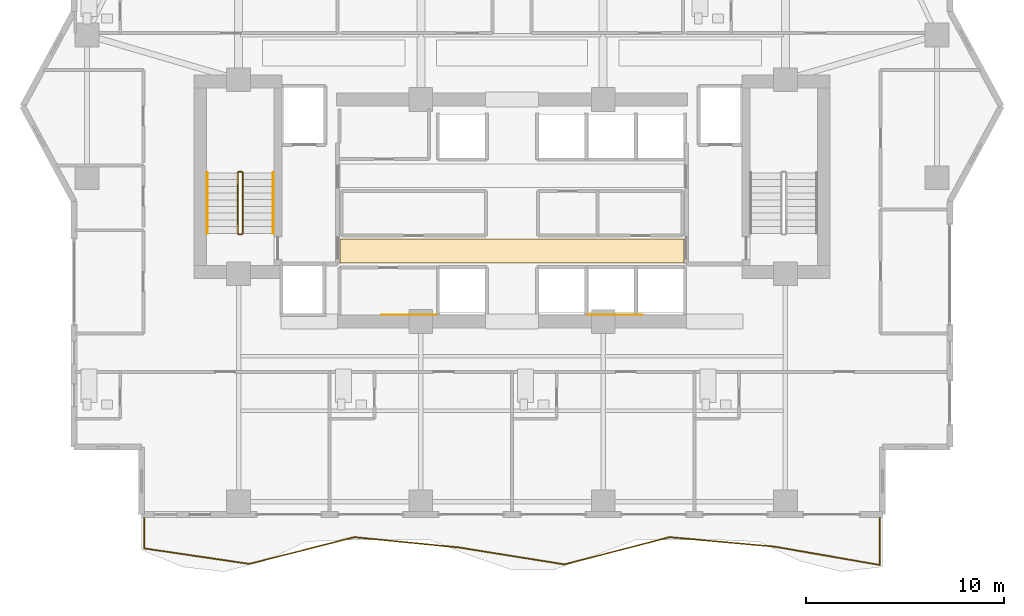
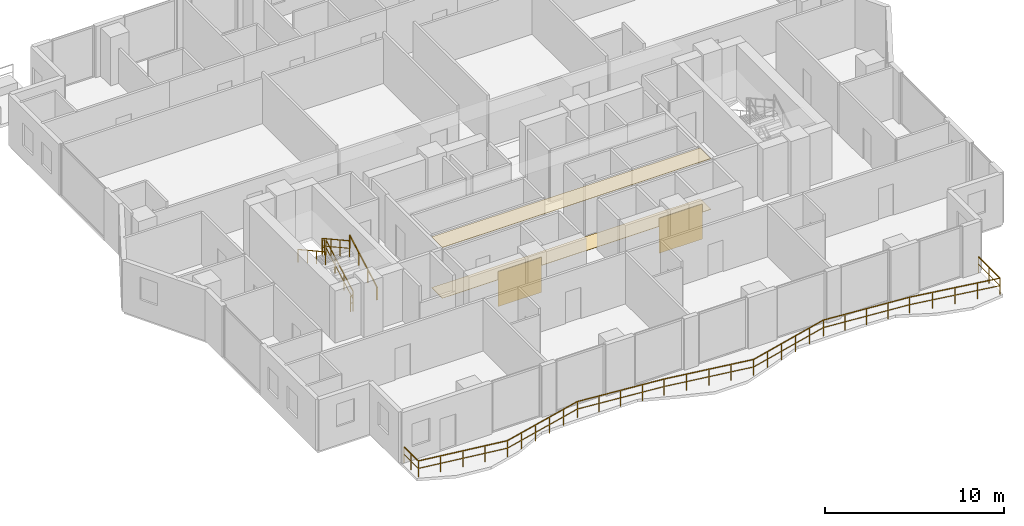
# One storey, part 30 of 33: 7 railings, 4 coverings.
"""IFC4 building model written with IfcOpenShell, lengths in metres."""

from ifc_helpers import new_model, si_unit, direction, frame, origin, origin_2d, place, context, subcontext, project, spatial, polyline, rectangle, outline, extrude, material, layer, layer_set, type_object, element, save


model = new_model("IFC4")

# Units and contexts
model_context = context("Model", 3, precision=1e-05, world=origin(), true_north=direction((0.0, 1.0)))
body_context = subcontext(model_context, "Body", "Model", "MODEL_VIEW")
ifc_project = project(units=[si_unit("LENGTHUNIT", "METRE"), si_unit("AREAUNIT", "SQUARE_METRE"), si_unit("VOLUMEUNIT", "CUBIC_METRE"), si_unit("PLANEANGLEUNIT", "RADIAN"), si_unit("MASSUNIT", "GRAM", prefix="KILO")], contexts=[model_context])

# Site, building, storey
site_placement = place(None, origin())
site = spatial("IfcSite", under=ifc_project, at=site_placement, CompositionType="ELEMENT")
building_placement = place(site_placement, origin())
building = spatial("IfcBuilding", under=site, at=building_placement, Name="Zuhayl Quay Hotel", CompositionType="ELEMENT")
storey_placement = place(building_placement, frame((0.0, 0.0, 229.89990234375)))
storey = spatial("IfcBuildingStorey", under=building, at=storey_placement, Name="L58", CompositionType="ELEMENT", Elevation=229.89990234375)

# Coverings
ifc_material_1 = material(Name="Acoustic Mineral-Fibre Gypsum Board")
ifc_layer_1 = layer(ifc_material_1, 0.02490234375, Name="Acoustic Mineral-Fibre Gypsum Board")
ifc_layer_set_1 = layer_set([ifc_layer_1], Name="Acoustic Mineral-Fibre Gypsum Board")
covering_type_1 = type_object("IfcCoveringType", Name="CV_CEIL_ACOUSTIC", PredefinedType="CEILING", material=ifc_layer_set_1)
covering_1_placement = place(storey_placement, frame((0.0, 0.0, 3.465087890625)))
element("IfcCovering", 1, at=covering_1_placement, inside=storey, type_object=covering_type_1, Name="L58 Suspended Acoustic Lobby Ceiling S", PredefinedType="CEILING", context=body_context, shape_type="SweptSolid", body=[
    extrude(outline(polyline([(-8.679931640625, 5.10009765625), (8.679931640625, 5.10009765625), (8.679931640625, 6.300048828125), (-8.679931640625, 6.300048828125), (-8.679931640625, 5.10009765625)])), origin(), (0.0, 0.0, 1.0), 0.02490234375),
])
ifc_material_2 = material(Name="Polished Limestone Terrazzo", Category="masonry")
ifc_layer_2 = layer(ifc_material_2, 0.02001953125, Name="Polished Limestone Terrazzo", Category="masonry")
ifc_layer_set_2 = layer_set([ifc_layer_2], Name="Polished Limestone Terrazzo")
covering_type_2 = type_object("IfcCoveringType", Name="CV_FLOOR_TERRAZZO", PredefinedType="FLOORING", material=ifc_layer_set_2)
covering_2_placement = place(storey_placement, origin())
element("IfcCovering", 2, at=covering_2_placement, inside=storey, type_object=covering_type_2, Name="L58 Honed Limestone Terrazzo Lobby Flooring S", PredefinedType="FLOORING", context=body_context, shape_type="SweptSolid", body=[
    extrude(outline(polyline([(-8.679931640625, 5.10009765625), (8.679931640625, 5.10009765625), (8.679931640625, 6.300048828125), (-8.679931640625, 6.300048828125), (-8.679931640625, 5.10009765625)])), origin(), (0.0, 0.0, 1.0), 0.02001953125),
])
ifc_material_3 = material(Name="Acoustic Walnut Feature Timber", Category="wood")
ifc_layer_3 = layer(ifc_material_3, 0.02197265625, Name="Acoustic Walnut Feature Timber", Category="wood")
ifc_layer_set_3 = layer_set([ifc_layer_3], Name="Acoustic Walnut Feature Timber")
covering_type_3 = type_object("IfcCoveringType", Name="CV_WALL_CLAD", PredefinedType="CLADDING", material=ifc_layer_set_3)
for number, where, z_axis, x_axis, name in (
    (3, (-5.199951171875, 2.486083984375, 0.300048828125), (0.0, 0.0, 1.0), (1.0, 0.0, 0.0), "L58 Feature Lobby Walnut Wall Cladding W"),
    (4, (5.199951171875, 2.486083984375, 0.300048828125), (0.0, 0.0, 1.0), (1.0, 0.0, 0.0), "L58 Feature Lobby Walnut Wall Cladding E"),
):
    element("IfcCovering", number, at=place(storey_placement, frame(where, z_axis=z_axis, x_axis=x_axis)), inside=storey, type_object=covering_type_3, Name=name, PredefinedType="CLADDING", context=body_context, shape_type="SweptSolid", body=[
        extrude(rectangle(XDim=2.800048828125, YDim=0.02197265625, at=origin_2d()), origin(), (0.0, 0.0, 1.0), 2.39990234375),
    ])

# Railings
ifc_material_4 = material(Name="Anodised Aluminium and Laminated Glass", Category="aluminium")
railing_type_1 = type_object("IfcRailingType", Name="RL_EXT_BAL_1100", PredefinedType="BALUSTRADE", material=ifc_material_4)
railing_1_placement = place(storey_placement, frame((-18.56005859375, -7.719970703125, 0.0)))
element("IfcRailing", 5, at=railing_1_placement, inside=storey, type_object=railing_type_1, Name="L58 Balcony and Terrace Guard GR_L58_BAL_S", PredefinedType="BALUSTRADE", context=body_context, shape_type="SweptSolid", body=[
    extrude(rectangle(XDim=0.048095703125, YDim=0.048095703125, at=origin_2d()), frame((0.0, 0.0, 1.09619140625), z_axis=(0.0, -1.0, 0.0), x_axis=(1.0, 0.0, 0.0)), (0.0, 0.0, 1.0), 1.5888671875),
    extrude(rectangle(XDim=0.0361328125, YDim=0.0361328125, at=origin_2d()), frame((0.0, 0.0, 0.58251953125), z_axis=(0.0, -1.0, 0.0), x_axis=(1.0, 0.0, 0.0)), (0.0, 0.0, 1.0), 1.5888671875),
    extrude(rectangle(XDim=0.048095703125, YDim=0.048095703125, at=origin_2d()), frame((0.0, -1.5888671875, 1.09619140625), z_axis=(0.989360870846, -0.145482188734, 0.0), x_axis=(0.145482188734, 0.989360870846, 0.0)), (0.0, 0.0, 1.0), 5.360107421875),
    extrude(rectangle(XDim=0.0361328125, YDim=0.0361328125, at=origin_2d()), frame((0.0, -1.5888671875, 0.58251953125), z_axis=(0.989360870846, -0.145482188734, 0.0), x_axis=(0.145482188734, 0.989360870846, 0.0)), (0.0, 0.0, 1.0), 5.360107421875),
    extrude(rectangle(XDim=0.048095703125, YDim=0.048095703125, at=origin_2d()), frame((5.302978515625, -2.36865234375, 1.09619140625), z_axis=(0.969147578078, 0.246481179618, 0.0), x_axis=(-0.246481179618, 0.969147578078, 0.0)), (0.0, 0.0, 1.0), 5.471435546875),
    extrude(rectangle(XDim=0.0361328125, YDim=0.0361328125, at=origin_2d()), frame((5.302978515625, -2.36865234375, 0.58251953125), z_axis=(0.969147578078, 0.246481179618, 0.0), x_axis=(-0.246481179618, 0.969147578078, 0.0)), (0.0, 0.0, 1.0), 5.471435546875),
    extrude(rectangle(XDim=0.048095703125, YDim=0.048095703125, at=origin_2d()), frame((10.605712890625, -1.02001953125, 1.09619140625), z_axis=(0.995145910431, -0.098410451434, 0.0), x_axis=(0.098410451434, 0.995145910431, 0.0)), (0.0, 0.0, 1.0), 5.328857421875),
    extrude(rectangle(XDim=0.0361328125, YDim=0.0361328125, at=origin_2d()), frame((10.605712890625, -1.02001953125, 0.58251953125), z_axis=(0.995145910431, -0.098410451434, 0.0), x_axis=(0.098410451434, 0.995145910431, 0.0)), (0.0, 0.0, 1.0), 5.328857421875),
    extrude(rectangle(XDim=0.048095703125, YDim=0.048095703125, at=origin_2d()), frame((15.90869140625, -1.54443359375, 1.09619140625), z_axis=(0.987349694589, -0.158557814674, 0.0), x_axis=(0.158557814674, 0.987349694589, 0.0)), (0.0, 0.0, 1.0), 5.37060546875),
    extrude(rectangle(XDim=0.0361328125, YDim=0.0361328125, at=origin_2d()), frame((15.90869140625, -1.54443359375, 0.58251953125), z_axis=(0.987349694589, -0.158557814674, 0.0), x_axis=(0.158557814674, 0.987349694589, 0.0)), (0.0, 0.0, 1.0), 5.37060546875),
    extrude(rectangle(XDim=0.048095703125, YDim=0.048095703125, at=origin_2d()), frame((21.21142578125, -2.39599609375, 1.09619140625), z_axis=(0.967946760127, 0.251155468904, 0.0), x_axis=(-0.251155468904, 0.967946760127, 0.0)), (0.0, 0.0, 1.0), 5.478515625),
    extrude(rectangle(XDim=0.0361328125, YDim=0.0361328125, at=origin_2d()), frame((21.21142578125, -2.39599609375, 0.58251953125), z_axis=(0.967946760127, 0.251155468904, 0.0), x_axis=(-0.251155468904, 0.967946760127, 0.0)), (0.0, 0.0, 1.0), 5.478515625),
    extrude(rectangle(XDim=0.048095703125, YDim=0.048095703125, at=origin_2d()), frame((26.514404296875, -1.02001953125, 1.09619140625), z_axis=(0.995932575719, -0.090101634958, 0.0), x_axis=(0.090101634958, 0.995932575719, 0.0)), (0.0, 0.0, 1.0), 5.324462890625),
    extrude(rectangle(XDim=0.0361328125, YDim=0.0361328125, at=origin_2d()), frame((26.514404296875, -1.02001953125, 0.58251953125), z_axis=(0.995932575719, -0.090101634958, 0.0), x_axis=(0.090101634958, 0.995932575719, 0.0)), (0.0, 0.0, 1.0), 5.324462890625),
    extrude(rectangle(XDim=0.048095703125, YDim=0.048095703125, at=origin_2d()), frame((31.817138671875, -1.499755859375, 1.09619140625), z_axis=(0.985208425649, -0.171360316381, 0.0), x_axis=(0.171360316381, 0.985208425649, 0.0)), (0.0, 0.0, 1.0), 5.382568359375),
    extrude(rectangle(XDim=0.0361328125, YDim=0.0361328125, at=origin_2d()), frame((31.817138671875, -1.499755859375, 0.58251953125), z_axis=(0.985208425649, -0.171360316381, 0.0), x_axis=(0.171360316381, 0.985208425649, 0.0)), (0.0, 0.0, 1.0), 5.382568359375),
    extrude(rectangle(XDim=0.048095703125, YDim=0.048095703125, at=origin_2d()), frame((37.1201171875, -2.422119140625, 1.09619140625), z_axis=(0.0, 1.0, 0.0), x_axis=(-1.0, 0.0, 0.0)), (0.0, 0.0, 1.0), 2.422119140625),
    extrude(rectangle(XDim=0.0361328125, YDim=0.0361328125, at=origin_2d()), frame((37.1201171875, -2.422119140625, 0.58251953125), z_axis=(0.0, 1.0, 0.0), x_axis=(-1.0, 0.0, 0.0)), (0.0, 0.0, 1.0), 2.422119140625),
    extrude(rectangle(XDim=0.0419921875, YDim=0.0419921875, at=origin_2d()), origin(), (0.0, 0.0, 1.0), 1.072021484375),
    extrude(rectangle(XDim=0.0419921875, YDim=0.0419921875, at=origin_2d()), frame((0.0, -0.79443359375, 0.0)), (0.0, 0.0, 1.0), 1.072021484375),
    extrude(rectangle(XDim=0.0419921875, YDim=0.0419921875, at=origin_2d()), frame((0.0, -1.5888671875, 0.0)), (0.0, 0.0, 1.0), 1.072021484375),
    extrude(rectangle(XDim=0.0419921875, YDim=0.0419921875, at=origin_2d()), frame((1.32568359375, -1.78369140625, 0.0)), (0.0, 0.0, 1.0), 1.072021484375),
    extrude(rectangle(XDim=0.0419921875, YDim=0.0419921875, at=origin_2d()), frame((2.6513671875, -1.978759765625, 0.0)), (0.0, 0.0, 1.0), 1.072021484375),
    extrude(rectangle(XDim=0.0419921875, YDim=0.0419921875, at=origin_2d()), frame((3.977294921875, -2.173828125, 0.0)), (0.0, 0.0, 1.0), 1.072021484375),
    extrude(rectangle(XDim=0.0419921875, YDim=0.0419921875, at=origin_2d()), frame((5.302978515625, -2.36865234375, 0.0)), (0.0, 0.0, 1.0), 1.072021484375),
    extrude(rectangle(XDim=0.0419921875, YDim=0.0419921875, at=origin_2d()), frame((6.363525390625, -2.098876953125, 0.0)), (0.0, 0.0, 1.0), 1.072021484375),
    extrude(rectangle(XDim=0.0419921875, YDim=0.0419921875, at=origin_2d()), frame((7.424072265625, -1.8291015625, 0.0)), (0.0, 0.0, 1.0), 1.072021484375),
    extrude(rectangle(XDim=0.0419921875, YDim=0.0419921875, at=origin_2d()), frame((8.484619140625, -1.5595703125, 0.0)), (0.0, 0.0, 1.0), 1.072021484375),
    extrude(rectangle(XDim=0.0419921875, YDim=0.0419921875, at=origin_2d()), frame((9.545166015625, -1.289794921875, 0.0)), (0.0, 0.0, 1.0), 1.072021484375),
    extrude(rectangle(XDim=0.0419921875, YDim=0.0419921875, at=origin_2d()), frame((10.605712890625, -1.02001953125, 0.0)), (0.0, 0.0, 1.0), 1.072021484375),
    extrude(rectangle(XDim=0.0419921875, YDim=0.0419921875, at=origin_2d()), frame((11.931396484375, -1.151123046875, 0.0)), (0.0, 0.0, 1.0), 1.072021484375),
    extrude(rectangle(XDim=0.0419921875, YDim=0.0419921875, at=origin_2d()), frame((13.25732421875, -1.2822265625, 0.0)), (0.0, 0.0, 1.0), 1.072021484375),
    extrude(rectangle(XDim=0.0419921875, YDim=0.0419921875, at=origin_2d()), frame((14.5830078125, -1.413330078125, 0.0)), (0.0, 0.0, 1.0), 1.072021484375),
    extrude(rectangle(XDim=0.0419921875, YDim=0.0419921875, at=origin_2d()), frame((15.90869140625, -1.54443359375, 0.0)), (0.0, 0.0, 1.0), 1.072021484375),
    extrude(rectangle(XDim=0.0419921875, YDim=0.0419921875, at=origin_2d()), frame((17.234375, -1.75732421875, 0.0)), (0.0, 0.0, 1.0), 1.072021484375),
    extrude(rectangle(XDim=0.0419921875, YDim=0.0419921875, at=origin_2d()), frame((18.56005859375, -1.97021484375, 0.0)), (0.0, 0.0, 1.0), 1.072021484375),
    extrude(rectangle(XDim=0.0419921875, YDim=0.0419921875, at=origin_2d()), frame((19.8857421875, -2.18310546875, 0.0)), (0.0, 0.0, 1.0), 1.072021484375),
    extrude(rectangle(XDim=0.0419921875, YDim=0.0419921875, at=origin_2d()), frame((21.21142578125, -2.39599609375, 0.0)), (0.0, 0.0, 1.0), 1.072021484375),
    extrude(rectangle(XDim=0.0419921875, YDim=0.0419921875, at=origin_2d()), frame((22.27197265625, -2.120849609375, 0.0)), (0.0, 0.0, 1.0), 1.072021484375),
    extrude(rectangle(XDim=0.0419921875, YDim=0.0419921875, at=origin_2d()), frame((23.33251953125, -1.845703125, 0.0)), (0.0, 0.0, 1.0), 1.072021484375),
    extrude(rectangle(XDim=0.0419921875, YDim=0.0419921875, at=origin_2d()), frame((24.393310546875, -1.5703125, 0.0)), (0.0, 0.0, 1.0), 1.072021484375),
    extrude(rectangle(XDim=0.0419921875, YDim=0.0419921875, at=origin_2d()), frame((25.453857421875, -1.295166015625, 0.0)), (0.0, 0.0, 1.0), 1.072021484375),
    extrude(rectangle(XDim=0.0419921875, YDim=0.0419921875, at=origin_2d()), frame((26.514404296875, -1.02001953125, 0.0)), (0.0, 0.0, 1.0), 1.072021484375),
    extrude(rectangle(XDim=0.0419921875, YDim=0.0419921875, at=origin_2d()), frame((27.840087890625, -1.139892578125, 0.0)), (0.0, 0.0, 1.0), 1.072021484375),
    extrude(rectangle(XDim=0.0419921875, YDim=0.0419921875, at=origin_2d()), frame((29.165771484375, -1.259765625, 0.0)), (0.0, 0.0, 1.0), 1.072021484375),
    extrude(rectangle(XDim=0.0419921875, YDim=0.0419921875, at=origin_2d()), frame((30.491455078125, -1.3798828125, 0.0)), (0.0, 0.0, 1.0), 1.072021484375),
    extrude(rectangle(XDim=0.0419921875, YDim=0.0419921875, at=origin_2d()), frame((31.817138671875, -1.499755859375, 0.0)), (0.0, 0.0, 1.0), 1.072021484375),
    extrude(rectangle(XDim=0.0419921875, YDim=0.0419921875, at=origin_2d()), frame((33.142822265625, -1.73046875, 0.0)), (0.0, 0.0, 1.0), 1.072021484375),
    extrude(rectangle(XDim=0.0419921875, YDim=0.0419921875, at=origin_2d()), frame((34.46875, -1.9609375, 0.0)), (0.0, 0.0, 1.0), 1.072021484375),
    extrude(rectangle(XDim=0.0419921875, YDim=0.0419921875, at=origin_2d()), frame((35.79443359375, -2.19140625, 0.0)), (0.0, 0.0, 1.0), 1.072021484375),
    extrude(rectangle(XDim=0.0419921875, YDim=0.0419921875, at=origin_2d()), frame((37.1201171875, -2.422119140625, 0.0)), (0.0, 0.0, 1.0), 1.072021484375),
    extrude(rectangle(XDim=0.0419921875, YDim=0.0419921875, at=origin_2d()), frame((37.1201171875, -1.2109375, 0.0)), (0.0, 0.0, 1.0), 1.072021484375),
    extrude(rectangle(XDim=0.0419921875, YDim=0.0419921875, at=origin_2d()), frame((37.1201171875, 0.0, 0.0)), (0.0, 0.0, 1.0), 1.072021484375),
])
ifc_material_5 = material(Name="Steel ASTM A992 Grade 50", Category="steel")
railing_type_2 = type_object("IfcRailingType", Name="RL_GUARD_1100", PredefinedType="GUARDRAIL", material=ifc_material_5)
railing_2_placement = place(storey_placement, frame((-13.590087890625, 6.590087890625, 0.1875)))
element("IfcRailing", 6, at=railing_2_placement, inside=storey, type_object=railing_type_2, Name="L58 ST1 stair guard 1", PredefinedType="GUARDRAIL", context=body_context, shape_type="SweptSolid", body=[
    extrude(rectangle(XDim=0.048095703125, YDim=0.048095703125, at=origin_2d()), frame((0.0, 0.0, 1.09619140625), z_axis=(0.0, 0.875659195171, 0.482929574485), x_axis=(-1.0, 0.0, 0.0)), (0.0, 0.0, 1.0), 3.494384765625),
    extrude(rectangle(XDim=0.0361328125, YDim=0.0361328125, at=origin_2d()), frame((0.0, 0.0, 0.58251953125), z_axis=(0.0, 0.875659195171, 0.482929574485), x_axis=(-1.0, 0.0, 0.0)), (0.0, 0.0, 1.0), 3.494384765625),
    extrude(rectangle(XDim=0.0419921875, YDim=0.0419921875, at=origin_2d()), origin(), (0.0, 0.0, 1.0), 1.072021484375),
    extrude(rectangle(XDim=0.0419921875, YDim=0.0419921875, at=origin_2d()), frame((0.0, 1.02001953125, 0.5625)), (0.0, 0.0, 1.0), 1.072021484375),
    extrude(rectangle(XDim=0.0419921875, YDim=0.0419921875, at=origin_2d()), frame((0.0, 2.039794921875, 1.125)), (0.0, 0.0, 1.0), 1.072021484375),
    extrude(rectangle(XDim=0.0419921875, YDim=0.0419921875, at=origin_2d()), frame((0.0, 3.059814453125, 1.6875)), (0.0, 0.0, 1.0), 1.072021484375),
])
railing_3_placement = place(storey_placement, frame((-13.639892578125, 9.699951171875, 1.875)))
element("IfcRailing", 7, at=railing_3_placement, inside=storey, type_object=railing_type_2, Name="L58 ST1 stair guard 2", PredefinedType="GUARDRAIL", context=body_context, shape_type="SweptSolid", body=[
    extrude(rectangle(XDim=0.048095703125, YDim=0.048095703125, at=origin_2d()), frame((0.0, 0.0, 1.09619140625), z_axis=(-1.0, 0.0, 0.0), x_axis=(0.0, -1.0, 0.0)), (0.0, 0.0, 1.0), 0.150146484375),
    extrude(rectangle(XDim=0.0361328125, YDim=0.0361328125, at=origin_2d()), frame((0.0, 0.0, 0.58251953125), z_axis=(-1.0, 0.0, 0.0), x_axis=(0.0, -1.0, 0.0)), (0.0, 0.0, 1.0), 0.150146484375),
    extrude(rectangle(XDim=0.0419921875, YDim=0.0419921875, at=origin_2d()), origin(), (0.0, 0.0, 1.0), 1.072021484375),
    extrude(rectangle(XDim=0.0419921875, YDim=0.0419921875, at=origin_2d()), frame((-0.150146484375, 0.0, 0.0)), (0.0, 0.0, 1.0), 1.072021484375),
])
railing_4_placement = place(storey_placement, frame((-13.840087890625, 9.64990234375, 2.0625)))
element("IfcRailing", 8, at=railing_4_placement, inside=storey, type_object=railing_type_2, Name="L58 ST1 stair guard 3", PredefinedType="GUARDRAIL", context=body_context, shape_type="SweptSolid", body=[
    extrude(rectangle(XDim=0.048095703125, YDim=0.048095703125, at=origin_2d()), frame((0.0, 0.0, 1.09619140625), z_axis=(0.0, -0.875659195171, 0.482929574485), x_axis=(1.0, 0.0, 0.0)), (0.0, 0.0, 1.0), 3.494384765625),
    extrude(rectangle(XDim=0.0361328125, YDim=0.0361328125, at=origin_2d()), frame((0.0, 0.0, 0.58251953125), z_axis=(0.0, -0.875659195171, 0.482929574485), x_axis=(1.0, 0.0, 0.0)), (0.0, 0.0, 1.0), 3.494384765625),
    extrude(rectangle(XDim=0.0419921875, YDim=0.0419921875, at=origin_2d()), origin(), (0.0, 0.0, 1.0), 1.072021484375),
    extrude(rectangle(XDim=0.0419921875, YDim=0.0419921875, at=origin_2d()), frame((0.0, -1.02001953125, 0.5625)), (0.0, 0.0, 1.0), 1.072021484375),
    extrude(rectangle(XDim=0.0419921875, YDim=0.0419921875, at=origin_2d()), frame((0.0, -2.039794921875, 1.125)), (0.0, 0.0, 1.0), 1.072021484375),
    extrude(rectangle(XDim=0.0419921875, YDim=0.0419921875, at=origin_2d()), frame((0.0, -3.059814453125, 1.6875)), (0.0, 0.0, 1.0), 1.072021484375),
])
railing_5_placement = place(storey_placement, frame((-13.639892578125, 6.5400390625, 0.0)))
element("IfcRailing", 9, at=railing_5_placement, inside=storey, type_object=railing_type_2, Name="L58 ST1 stair guard 4", PredefinedType="GUARDRAIL", context=body_context, shape_type="SweptSolid", body=[
    extrude(rectangle(XDim=0.048095703125, YDim=0.048095703125, at=origin_2d()), frame((0.0, 0.0, 1.09619140625), z_axis=(-1.0, 0.0, 0.0), x_axis=(0.0, -1.0, 0.0)), (0.0, 0.0, 1.0), 0.150146484375),
    extrude(rectangle(XDim=0.0361328125, YDim=0.0361328125, at=origin_2d()), frame((0.0, 0.0, 0.58251953125), z_axis=(-1.0, 0.0, 0.0), x_axis=(0.0, -1.0, 0.0)), (0.0, 0.0, 1.0), 0.150146484375),
    extrude(rectangle(XDim=0.0419921875, YDim=0.0419921875, at=origin_2d()), origin(), (0.0, 0.0, 1.0), 1.072021484375),
    extrude(rectangle(XDim=0.0419921875, YDim=0.0419921875, at=origin_2d()), frame((-0.150146484375, 0.0, 0.0)), (0.0, 0.0, 1.0), 1.072021484375),
])
railing_type_3 = type_object("IfcRailingType", Name="RL_HANDRAIL_920", PredefinedType="HANDRAIL", material=ifc_material_5)
railing_6_placement = place(storey_placement, frame((-12.050048828125, 6.590087890625, 0.1875)))
element("IfcRailing", 10, at=railing_6_placement, inside=storey, type_object=railing_type_3, Name="L58 ST1 stair handrail 1", PredefinedType="HANDRAIL", context=body_context, shape_type="SweptSolid", body=[
    extrude(rectangle(XDim=0.048095703125, YDim=0.048095703125, at=origin_2d()), frame((0.0, 0.0, 0.8759765625), z_axis=(0.0, 0.875659195171, 0.482929574485), x_axis=(-1.0, 0.0, 0.0)), (0.0, 0.0, 1.0), 3.494384765625),
    extrude(rectangle(XDim=0.0419921875, YDim=0.0419921875, at=origin_2d()), origin(), (0.0, 0.0, 1.0), 0.851806640625),
    extrude(rectangle(XDim=0.0419921875, YDim=0.0419921875, at=origin_2d()), frame((0.0, 1.02001953125, 0.5625)), (0.0, 0.0, 1.0), 0.851806640625),
    extrude(rectangle(XDim=0.0419921875, YDim=0.0419921875, at=origin_2d()), frame((0.0, 2.039794921875, 1.125)), (0.0, 0.0, 1.0), 0.851806640625),
    extrude(rectangle(XDim=0.0419921875, YDim=0.0419921875, at=origin_2d()), frame((0.0, 3.059814453125, 1.6875)), (0.0, 0.0, 1.0), 0.851806640625),
])
railing_7_placement = place(storey_placement, frame((-15.3798828125, 9.64990234375, 2.0625)))
element("IfcRailing", 11, at=railing_7_placement, inside=storey, type_object=railing_type_3, Name="L58 ST1 stair handrail 2", PredefinedType="HANDRAIL", context=body_context, shape_type="SweptSolid", body=[
    extrude(rectangle(XDim=0.048095703125, YDim=0.048095703125, at=origin_2d()), frame((0.0, 0.0, 0.8759765625), z_axis=(0.0, -0.875659195171, 0.482929574485), x_axis=(1.0, 0.0, 0.0)), (0.0, 0.0, 1.0), 3.494384765625),
    extrude(rectangle(XDim=0.0419921875, YDim=0.0419921875, at=origin_2d()), origin(), (0.0, 0.0, 1.0), 0.851806640625),
    extrude(rectangle(XDim=0.0419921875, YDim=0.0419921875, at=origin_2d()), frame((0.0, -1.02001953125, 0.5625)), (0.0, 0.0, 1.0), 0.851806640625),
    extrude(rectangle(XDim=0.0419921875, YDim=0.0419921875, at=origin_2d()), frame((0.0, -2.039794921875, 1.125)), (0.0, 0.0, 1.0), 0.851806640625),
    extrude(rectangle(XDim=0.0419921875, YDim=0.0419921875, at=origin_2d()), frame((0.0, -3.059814453125, 1.6875)), (0.0, 0.0, 1.0), 0.851806640625),
])

save(model, "model.ifc")
